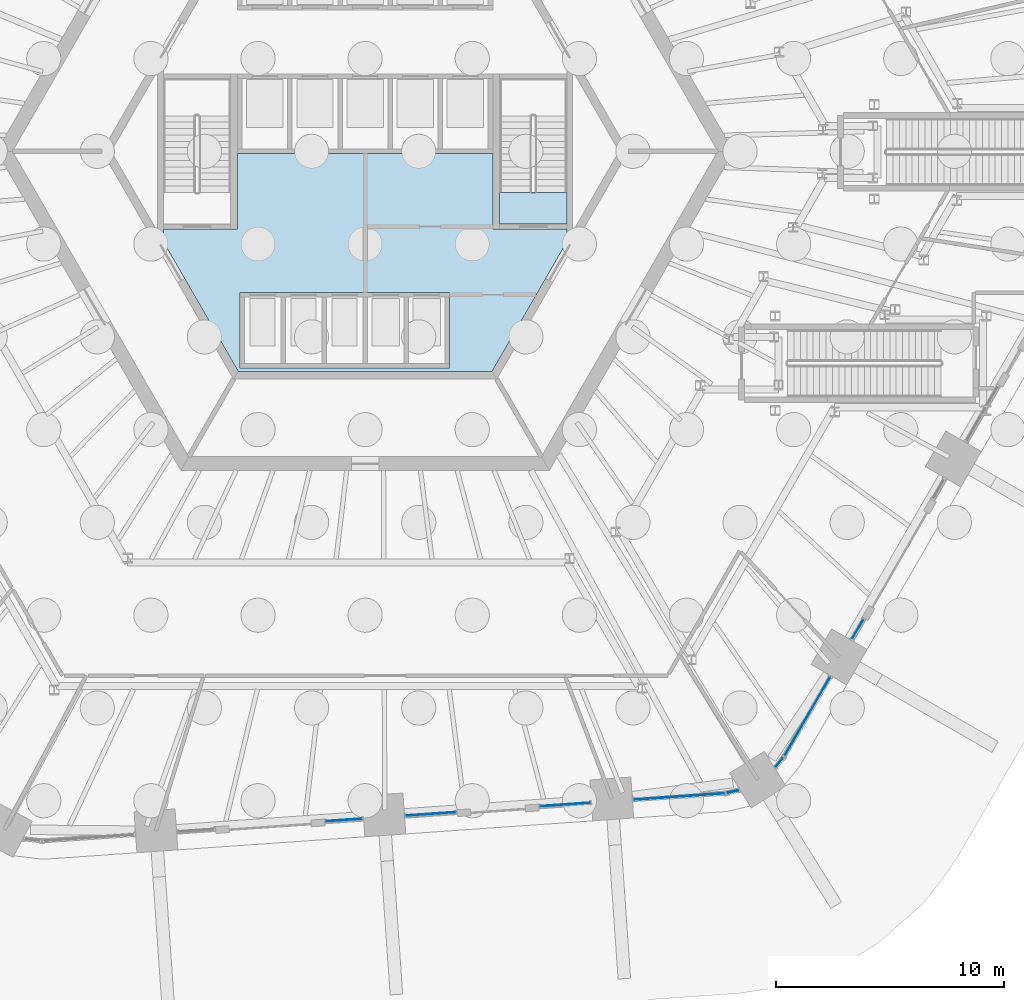
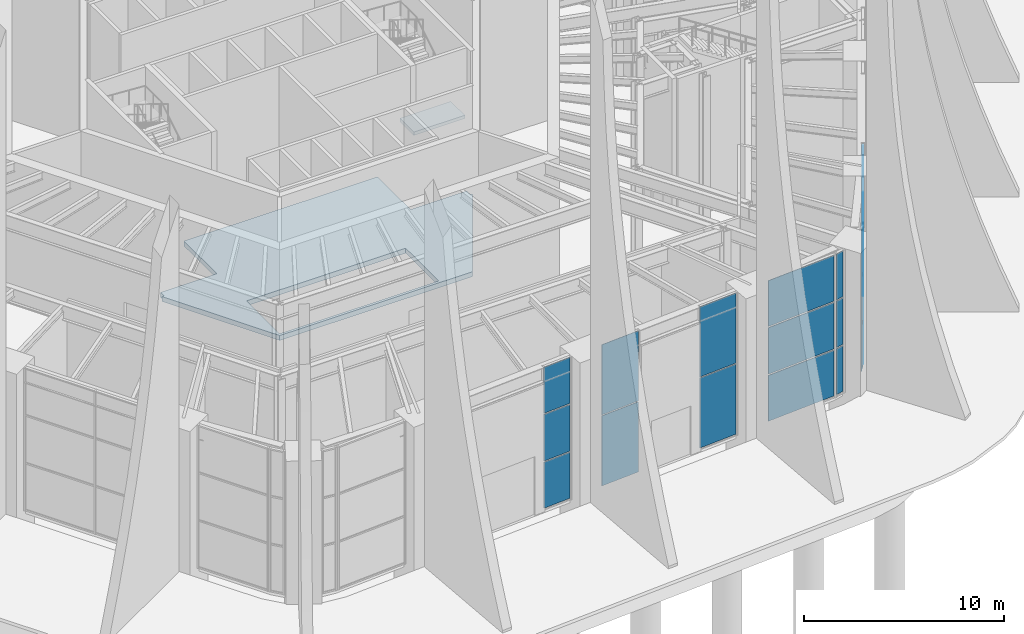
# One storey, part 19 of 43: 22 plates, 2 slabs, 9 elements without a shape of their own.
"""IFC4 building model written with IfcOpenShell, lengths in metres."""

from ifc_helpers import new_model, si_unit, direction, frame, origin, origin_2d, place, context, subcontext, project, spatial, polyline, rectangle, outline, extrude, material, layer, layer_set, type_object, element, aggregate, save


model = new_model("IFC4")

# Units and contexts
model_context = context("Model", 3, precision=1e-05, world=origin(), true_north=direction((0.0, 1.0)))
body_context = subcontext(model_context, "Body", "Model", "MODEL_VIEW")
ifc_project = project(units=[si_unit("LENGTHUNIT", "METRE"), si_unit("AREAUNIT", "SQUARE_METRE"), si_unit("VOLUMEUNIT", "CUBIC_METRE"), si_unit("PLANEANGLEUNIT", "RADIAN"), si_unit("MASSUNIT", "GRAM", prefix="KILO")], contexts=[model_context])

# Site, building, storey
site_placement = place(None, origin())
site = spatial("IfcSite", under=ifc_project, at=site_placement, CompositionType="ELEMENT")
building_placement = place(site_placement, origin())
building = spatial("IfcBuilding", under=site, at=building_placement, Name="Tarnside Tower", CompositionType="ELEMENT")
storey_placement = place(building_placement, origin())
storey = spatial("IfcBuildingStorey", under=building, at=storey_placement, Name="L00", CompositionType="ELEMENT", Elevation=0.0)

# Slab
ifc_material_1 = material(Name="Concrete C40/50", Category="concrete")
ifc_layer_1 = layer(ifc_material_1, 0.300048828125)
ifc_layer_set_1 = layer_set([ifc_layer_1], Name="Core ground slab C40/50")
slab_type_1 = type_object("IfcSlabType", Name="Core ground slab C40/50", PredefinedType="BASESLAB", material=ifc_layer_set_1)
slab_1_placement = place(storey_placement, frame((0.0, 0.0, -0.300048828125)))
element("IfcSlab", 1, at=slab_1_placement, inside=storey, type_object=slab_type_1, Name="L00 core floor slab 3", PredefinedType="BASESLAB", context=body_context, shape_type="SweptSolid", body=[
    extrude(outline(polyline([(5.60009765625, -3.39990234375), (5.89990234375, -3.39990234375), (8.85009765625, -3.39990234375), (8.85009765625, -3.7548828125), (8.97509765625, -3.7548828125), (5.5712890625, -9.64990234375), (-5.5712890625, -9.64990234375), (-8.97509765625, -3.7548828125), (-8.85009765625, -3.7548828125), (-8.85009765625, -3.39990234375), (-5.89990234375, -3.39990234375), (-5.60009765625, -3.39990234375), (-5.60009765625, -0.10009765625), (5.60009765625, -0.10009765625), (5.60009765625, -3.39990234375)]), holes=[polyline([(-5.5, -9.300048828125), (-5.5, -9.5), (3.699951171875, -9.5), (3.699951171875, -9.300048828125), (3.699951171875, -6.39990234375), (3.699951171875, -6.199951171875), (-5.5, -6.199951171875), (-5.5, -6.39990234375), (-5.5, -9.300048828125)])]), origin(), (0.0, 0.0, 1.0), 0.300048828125),
])

# Curtain wall, plates
ifc_material_2 = material(Name="Lobby entrance glazing wall", Category="glass")
curtain_wall_type_1 = type_object("IfcCurtainWallType", Name="Lobby entrance glazing wall", PredefinedType="NOTDEFINED", material=ifc_material_2)
curtain_wall_1_placement = place(storey_placement, origin())
curtain_wall_1 = element("IfcCurtainWall", 2, at=curtain_wall_1_placement, inside=storey, type_object=curtain_wall_type_1, Name="Side light 12b", PredefinedType="NOTDEFINED")
ifc_material_3 = material(Name="Low-iron safety glass", Category="glass")
ifc_layer_2 = layer(ifc_material_3, 0.030029296875)
ifc_layer_set_2 = layer_set([ifc_layer_2], Name="Lobby entrance glazing panel 30")
plate_type_1 = type_object("IfcPlateType", Name="Lobby entrance glazing panel 30", PredefinedType="CURTAIN_PANEL", material=ifc_layer_set_2)
plate_1_placement = place(storey_placement, frame((-0.9228515625, -29.3359375, 0.06982421875), z_axis=(0.0, 0.0, 1.0), x_axis=(0.997564050274, 0.069756473535, 0.0)))
plate_1 = element("IfcPlate", 3, at=plate_1_placement, type_object=plate_type_1, Name="CW3 panel 1.1", PredefinedType="CURTAIN_PANEL", context=body_context, shape_type="SweptSolid", body=[
    extrude(rectangle(XDim=1.57177734375, YDim=0.030029296875, at=origin_2d()), origin(), (0.0, 0.0, 1.0), 2.811767578125),
])
plate_2_placement = place(storey_placement, frame((-0.9228515625, -29.3359375, 2.95166015625), z_axis=(0.0, 0.0, 1.0), x_axis=(0.997564050274, 0.069756473535, 0.0)))
plate_2 = element("IfcPlate", 4, at=plate_2_placement, type_object=plate_type_1, Name="CW3 panel 1.2", PredefinedType="CURTAIN_PANEL", context=body_context, shape_type="SweptSolid", body=[
    extrude(rectangle(XDim=1.57177734375, YDim=0.030029296875, at=origin_2d()), origin(), (0.0, 0.0, 1.0), 2.8466796875),
])
plate_3_placement = place(storey_placement, frame((-0.9228515625, -29.3359375, 5.8681640625), z_axis=(0.0, 0.0, 1.0), x_axis=(0.997564050274, 0.069756473535, 0.0)))
plate_3 = element("IfcPlate", 5, at=plate_3_placement, type_object=plate_type_1, Name="CW3 panel 1.3", PredefinedType="CURTAIN_PANEL", context=body_context, shape_type="SweptSolid", body=[
    extrude(rectangle(XDim=1.57177734375, YDim=0.030029296875, at=origin_2d()), origin(), (0.0, 0.0, 1.0), 2.811767578125),
])
aggregate(curtain_wall_1, [plate_1, plate_2, plate_3])

ifc_material_4 = material(Name="Retail shopfront glazing wall", Category="glass")
curtain_wall_type_2 = type_object("IfcCurtainWallType", Name="Retail shopfront glazing wall", PredefinedType="NOTDEFINED", material=ifc_material_4)
curtain_wall_2_placement = place(storey_placement, origin())
curtain_wall_2 = element("IfcCurtainWall", 6, at=curtain_wall_2_placement, inside=storey, type_object=curtain_wall_type_2, Name="Side light 13a", PredefinedType="NOTDEFINED")
ifc_layer_3 = layer(ifc_material_3, 0.028076171875)
ifc_layer_set_3 = layer_set([ifc_layer_3], Name="Retail shopfront glazing panel 28")
plate_type_2 = type_object("IfcPlateType", Name="Retail shopfront glazing panel 28", PredefinedType="CURTAIN_PANEL", material=ifc_layer_set_3)
plate_4_placement = place(storey_placement, frame((2.879638671875, -29.06982421875, 0.06005859375), z_axis=(0.0, 0.0, 1.0), x_axis=(0.997564050278, 0.069756473483, 0.0)))
plate_4 = element("IfcPlate", 7, at=plate_4_placement, type_object=plate_type_2, Name="CW2 panel 1.1", PredefinedType="CURTAIN_PANEL", context=body_context, shape_type="SweptSolid", body=[
    extrude(rectangle(XDim=2.19189453125, YDim=0.028076171875, at=origin_2d()), origin(), (0.0, 0.0, 1.0), 4.284912109375),
])
plate_5_placement = place(storey_placement, frame((2.879638671875, -29.06982421875, 4.4052734375), z_axis=(0.0, 0.0, 1.0), x_axis=(0.997564050278, 0.069756473483, 0.0)))
plate_5 = element("IfcPlate", 8, at=plate_5_placement, type_object=plate_type_2, Name="CW2 panel 1.2", PredefinedType="CURTAIN_PANEL", context=body_context, shape_type="SweptSolid", body=[
    extrude(rectangle(XDim=2.19189453125, YDim=0.028076171875, at=origin_2d()), origin(), (0.0, 0.0, 1.0), 4.284912109375),
])
aggregate(curtain_wall_2, [plate_4, plate_5])

curtain_wall_3_placement = place(storey_placement, origin())
curtain_wall_3 = element("IfcCurtainWall", 9, at=curtain_wall_3_placement, inside=storey, type_object=curtain_wall_type_2, Name="Side light 13b", PredefinedType="NOTDEFINED")
plate_6_placement = place(storey_placement, frame((8.777099609375, -28.657470703125, 0.06005859375), z_axis=(0.0, 0.0, 1.0), x_axis=(0.997564050248, 0.069756473918, 0.0)))
plate_6 = element("IfcPlate", 10, at=plate_6_placement, type_object=plate_type_2, Name="CW2 panel 1.1", PredefinedType="CURTAIN_PANEL", context=body_context, shape_type="SweptSolid", body=[
    extrude(rectangle(XDim=2.19189453125, YDim=0.028076171875, at=origin_2d()), origin(), (0.0, 0.0, 1.0), 4.284912109375),
])
plate_7_placement = place(storey_placement, frame((8.777099609375, -28.657470703125, 4.4052734375), z_axis=(0.0, 0.0, 1.0), x_axis=(0.997564050248, 0.069756473918, 0.0)))
plate_7 = element("IfcPlate", 11, at=plate_7_placement, type_object=plate_type_2, Name="CW2 panel 1.2", PredefinedType="CURTAIN_PANEL", context=body_context, shape_type="SweptSolid", body=[
    extrude(rectangle(XDim=2.19189453125, YDim=0.028076171875, at=origin_2d()), origin(), (0.0, 0.0, 1.0), 4.284912109375),
])
aggregate(curtain_wall_3, [plate_6, plate_7])

# Stair, slab
stair_type = type_object("IfcStairType", Name="Exit stair 1400 clear", PredefinedType="HALF_TURN_STAIR", material=ifc_material_1)
stair_placement = place(storey_placement, origin())
stair = element("IfcStair", 12, at=stair_placement, inside=storey, type_object=stair_type, Name="L00 Exit stair 1", PredefinedType="HALF_TURN_STAIR")
ifc_layer_4 = layer(ifc_material_1, 0.199951171875)
ifc_layer_set_4 = layer_set([ifc_layer_4], Name="Stair landing 200 C40/50")
slab_type_2 = type_object("IfcSlabType", Name="Stair landing 200 C40/50", PredefinedType="LANDING", material=ifc_layer_set_4)
slab_2_placement = place(storey_placement, frame((0.0, 0.0, 4.300048828125)))
slab_2 = element("IfcSlab", 13, at=slab_2_placement, type_object=slab_type_2, Name="ST1 landing 2", PredefinedType="LANDING", context=body_context, shape_type="SweptSolid", body=[
    extrude(outline(polyline([(8.85009765625, -3.199951171875), (8.85009765625, -1.800048828125), (5.89990234375, -1.800048828125), (5.89990234375, -3.199951171875), (8.85009765625, -3.199951171875)])), origin(), (0.0, 0.0, 1.0), 0.199951171875),
])
aggregate(stair, [slab_2])

# Curtain wall, plates
ifc_material_5 = material(Name="Station concourse glazing wall", Category="glass")
curtain_wall_type_3 = type_object("IfcCurtainWallType", Name="Station concourse glazing wall", PredefinedType="NOTDEFINED", material=ifc_material_5)
curtain_wall_4_placement = place(storey_placement, origin())
curtain_wall_4 = element("IfcCurtainWall", 14, at=curtain_wall_4_placement, inside=storey, type_object=curtain_wall_type_3, Name="Station concourse glazing L00 14.0", PredefinedType="NOTDEFINED")
ifc_layer_5 = layer(ifc_material_3, 0.031982421875)
ifc_layer_set_5 = layer_set([ifc_layer_5], Name="Station concourse glazing panel 32")
plate_type_3 = type_object("IfcPlateType", Name="Station concourse glazing panel 32", PredefinedType="CURTAIN_PANEL", material=ifc_layer_set_5)
plate_8_placement = place(storey_placement, frame((13.77685546875, -28.307861328125, 0.080078125), z_axis=(0.0, 0.0, 1.0), x_axis=(0.997564050249, 0.069756473901, 0.0)))
plate_8 = element("IfcPlate", 15, at=plate_8_placement, type_object=plate_type_3, Name="CW1 panel 1.1", PredefinedType="CURTAIN_PANEL", context=body_context, shape_type="SweptSolid", body=[
    extrude(rectangle(XDim=3.951904296875, YDim=0.031982421875, at=origin_2d()), origin(), (0.0, 0.0, 1.0), 2.796630859375),
])
plate_9_placement = place(storey_placement, frame((13.77685546875, -28.307861328125, 2.95654296875), z_axis=(0.0, 0.0, 1.0), x_axis=(0.997564050249, 0.069756473901, 0.0)))
plate_9 = element("IfcPlate", 16, at=plate_9_placement, type_object=plate_type_3, Name="CW1 panel 1.2", PredefinedType="CURTAIN_PANEL", context=body_context, shape_type="SweptSolid", body=[
    extrude(rectangle(XDim=3.951904296875, YDim=0.031982421875, at=origin_2d()), origin(), (0.0, 0.0, 1.0), 2.836669921875),
])
plate_10_placement = place(storey_placement, frame((13.77685546875, -28.307861328125, 5.87353515625), z_axis=(0.0, 0.0, 1.0), x_axis=(0.997564050249, 0.069756473901, 0.0)))
plate_10 = element("IfcPlate", 17, at=plate_10_placement, type_object=plate_type_3, Name="CW1 panel 1.3", PredefinedType="CURTAIN_PANEL", context=body_context, shape_type="SweptSolid", body=[
    extrude(rectangle(XDim=3.951904296875, YDim=0.031982421875, at=origin_2d()), origin(), (0.0, 0.0, 1.0), 2.796630859375),
])
aggregate(curtain_wall_4, [plate_8, plate_9, plate_10])

curtain_wall_5_placement = place(storey_placement, origin())
curtain_wall_5 = element("IfcCurtainWall", 18, at=curtain_wall_5_placement, inside=storey, type_object=curtain_wall_type_3, Name="Station concourse glazing L00 14.1", PredefinedType="NOTDEFINED")
plate_11_placement = place(storey_placement, frame((16.1396484375, -28.092041015625, 0.080078125), z_axis=(0.0, 0.0, 1.0), x_axis=(0.973044870947, 0.230615869191, 0.0)))
plate_11 = element("IfcPlate", 19, at=plate_11_placement, type_object=plate_type_3, Name="CW1 panel 1.1", PredefinedType="CURTAIN_PANEL", context=body_context, shape_type="SweptSolid", body=[
    extrude(rectangle(XDim=0.4482421875, YDim=0.031982421875, at=origin_2d()), origin(), (0.0, 0.0, 1.0), 2.796630859375),
])
plate_12_placement = place(storey_placement, frame((16.1396484375, -28.092041015625, 2.95654296875), z_axis=(0.0, 0.0, 1.0), x_axis=(0.973044870947, 0.230615869191, 0.0)))
plate_12 = element("IfcPlate", 20, at=plate_12_placement, type_object=plate_type_3, Name="CW1 panel 1.2", PredefinedType="CURTAIN_PANEL", context=body_context, shape_type="SweptSolid", body=[
    extrude(rectangle(XDim=0.4482421875, YDim=0.031982421875, at=origin_2d()), origin(), (0.0, 0.0, 1.0), 2.836669921875),
])
plate_13_placement = place(storey_placement, frame((16.1396484375, -28.092041015625, 5.87353515625), z_axis=(0.0, 0.0, 1.0), x_axis=(0.973044870947, 0.230615869191, 0.0)))
plate_13 = element("IfcPlate", 21, at=plate_13_placement, type_object=plate_type_3, Name="CW1 panel 1.3", PredefinedType="CURTAIN_PANEL", context=body_context, shape_type="SweptSolid", body=[
    extrude(rectangle(XDim=0.4482421875, YDim=0.031982421875, at=origin_2d()), origin(), (0.0, 0.0, 1.0), 2.796630859375),
])
aggregate(curtain_wall_5, [plate_11, plate_12, plate_13])

curtain_wall_6_placement = place(storey_placement, origin())
curtain_wall_6 = element("IfcCurtainWall", 22, at=curtain_wall_6_placement, inside=storey, type_object=curtain_wall_type_3, Name="Station concourse glazing L00 15.0", PredefinedType="NOTDEFINED")
plate_14_placement = place(storey_placement, frame((18.173583984375, -26.821044921875, 0.080078125), z_axis=(0.0, 0.0, 1.0), x_axis=(0.633830967961, 0.773471592273, 0.0)))
plate_14 = element("IfcPlate", 23, at=plate_14_placement, type_object=plate_type_3, Name="CW1 panel 1.1", PredefinedType="CURTAIN_PANEL", context=body_context, shape_type="SweptSolid", body=[
    extrude(rectangle(XDim=0.4482421875, YDim=0.031982421875, at=origin_2d()), origin(), (0.0, 0.0, 1.0), 2.796630859375),
])
plate_15_placement = place(storey_placement, frame((18.173583984375, -26.821044921875, 2.95654296875), z_axis=(0.0, 0.0, 1.0), x_axis=(0.633830967961, 0.773471592273, 0.0)))
plate_15 = element("IfcPlate", 24, at=plate_15_placement, type_object=plate_type_3, Name="CW1 panel 1.2", PredefinedType="CURTAIN_PANEL", context=body_context, shape_type="SweptSolid", body=[
    extrude(rectangle(XDim=0.4482421875, YDim=0.031982421875, at=origin_2d()), origin(), (0.0, 0.0, 1.0), 2.836669921875),
])
plate_16_placement = place(storey_placement, frame((18.173583984375, -26.821044921875, 5.87353515625), z_axis=(0.0, 0.0, 1.0), x_axis=(0.633830967961, 0.773471592273, 0.0)))
plate_16 = element("IfcPlate", 25, at=plate_16_placement, type_object=plate_type_3, Name="CW1 panel 1.3", PredefinedType="CURTAIN_PANEL", context=body_context, shape_type="SweptSolid", body=[
    extrude(rectangle(XDim=0.4482421875, YDim=0.031982421875, at=origin_2d()), origin(), (0.0, 0.0, 1.0), 2.796630859375),
])
aggregate(curtain_wall_6, [plate_14, plate_15, plate_16])

curtain_wall_7_placement = place(storey_placement, origin())
curtain_wall_7 = element("IfcCurtainWall", 26, at=curtain_wall_7_placement, inside=storey, type_object=curtain_wall_type_3, Name="Station concourse glazing L00 15.1", PredefinedType="NOTDEFINED")
plate_17_placement = place(storey_placement, frame((19.403564453125, -24.791748046875, 0.080078125), z_axis=(0.0, 0.0, 1.0), x_axis=(0.50000000003, 0.866025403767, 0.0)))
plate_17 = element("IfcPlate", 27, at=plate_17_placement, type_object=plate_type_3, Name="CW1 panel 1.1", PredefinedType="CURTAIN_PANEL", context=body_context, shape_type="SweptSolid", body=[
    extrude(rectangle(XDim=3.951904296875, YDim=0.031982421875, at=origin_2d()), origin(), (0.0, 0.0, 1.0), 2.796630859375),
])
plate_18_placement = place(storey_placement, frame((19.403564453125, -24.791748046875, 2.95654296875), z_axis=(0.0, 0.0, 1.0), x_axis=(0.50000000003, 0.866025403767, 0.0)))
plate_18 = element("IfcPlate", 28, at=plate_18_placement, type_object=plate_type_3, Name="CW1 panel 1.2", PredefinedType="CURTAIN_PANEL", context=body_context, shape_type="SweptSolid", body=[
    extrude(rectangle(XDim=3.951904296875, YDim=0.031982421875, at=origin_2d()), origin(), (0.0, 0.0, 1.0), 2.836669921875),
])
plate_19_placement = place(storey_placement, frame((19.403564453125, -24.791748046875, 5.87353515625), z_axis=(0.0, 0.0, 1.0), x_axis=(0.50000000003, 0.866025403767, 0.0)))
plate_19 = element("IfcPlate", 29, at=plate_19_placement, type_object=plate_type_3, Name="CW1 panel 1.3", PredefinedType="CURTAIN_PANEL", context=body_context, shape_type="SweptSolid", body=[
    extrude(rectangle(XDim=3.951904296875, YDim=0.031982421875, at=origin_2d()), origin(), (0.0, 0.0, 1.0), 2.796630859375),
])
aggregate(curtain_wall_7, [plate_17, plate_18, plate_19])

curtain_wall_8_placement = place(storey_placement, origin())
curtain_wall_8 = element("IfcCurtainWall", 30, at=curtain_wall_8_placement, inside=storey, type_object=curtain_wall_type_3, Name="Side light 16a", PredefinedType="NOTDEFINED")
plate_20_placement = place(storey_placement, frame((21.609619140625, -20.97119140625, 0.080078125), z_axis=(0.0, 0.0, 1.0), x_axis=(0.49999999929, 0.866025404195, 0.0)))
plate_20 = element("IfcPlate", 31, at=plate_20_placement, type_object=plate_type_3, Name="CW1 panel 1.1", PredefinedType="CURTAIN_PANEL", context=body_context, shape_type="SweptSolid", body=[
    extrude(rectangle(XDim=0.951904296875, YDim=0.031982421875, at=origin_2d()), origin(), (0.0, 0.0, 1.0), 2.796630859375),
])
plate_21_placement = place(storey_placement, frame((21.609619140625, -20.97119140625, 2.95654296875), z_axis=(0.0, 0.0, 1.0), x_axis=(0.49999999929, 0.866025404195, 0.0)))
plate_21 = element("IfcPlate", 32, at=plate_21_placement, type_object=plate_type_3, Name="CW1 panel 1.2", PredefinedType="CURTAIN_PANEL", context=body_context, shape_type="SweptSolid", body=[
    extrude(rectangle(XDim=0.951904296875, YDim=0.031982421875, at=origin_2d()), origin(), (0.0, 0.0, 1.0), 2.836669921875),
])
plate_22_placement = place(storey_placement, frame((21.609619140625, -20.97119140625, 5.87353515625), z_axis=(0.0, 0.0, 1.0), x_axis=(0.49999999929, 0.866025404195, 0.0)))
plate_22 = element("IfcPlate", 33, at=plate_22_placement, type_object=plate_type_3, Name="CW1 panel 1.3", PredefinedType="CURTAIN_PANEL", context=body_context, shape_type="SweptSolid", body=[
    extrude(rectangle(XDim=0.951904296875, YDim=0.031982421875, at=origin_2d()), origin(), (0.0, 0.0, 1.0), 2.796630859375),
])
aggregate(curtain_wall_8, [plate_20, plate_21, plate_22])

save(model, "model.ifc")
